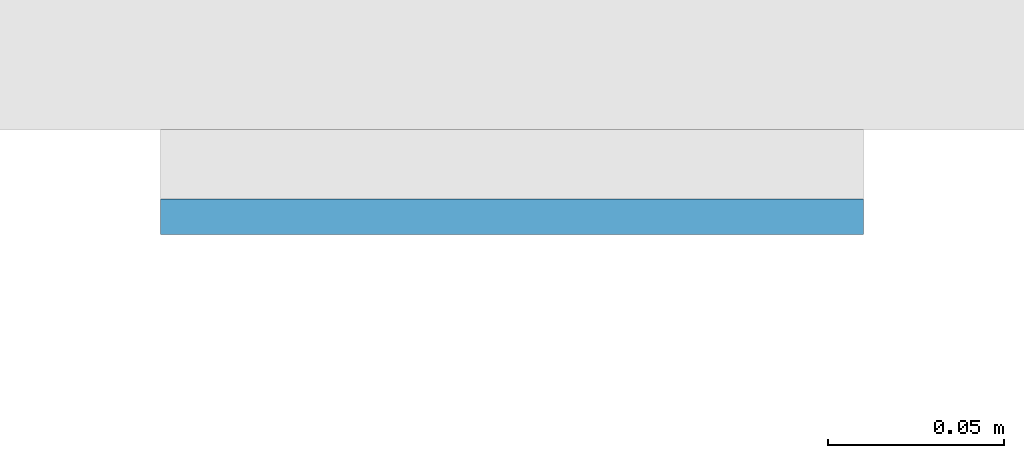
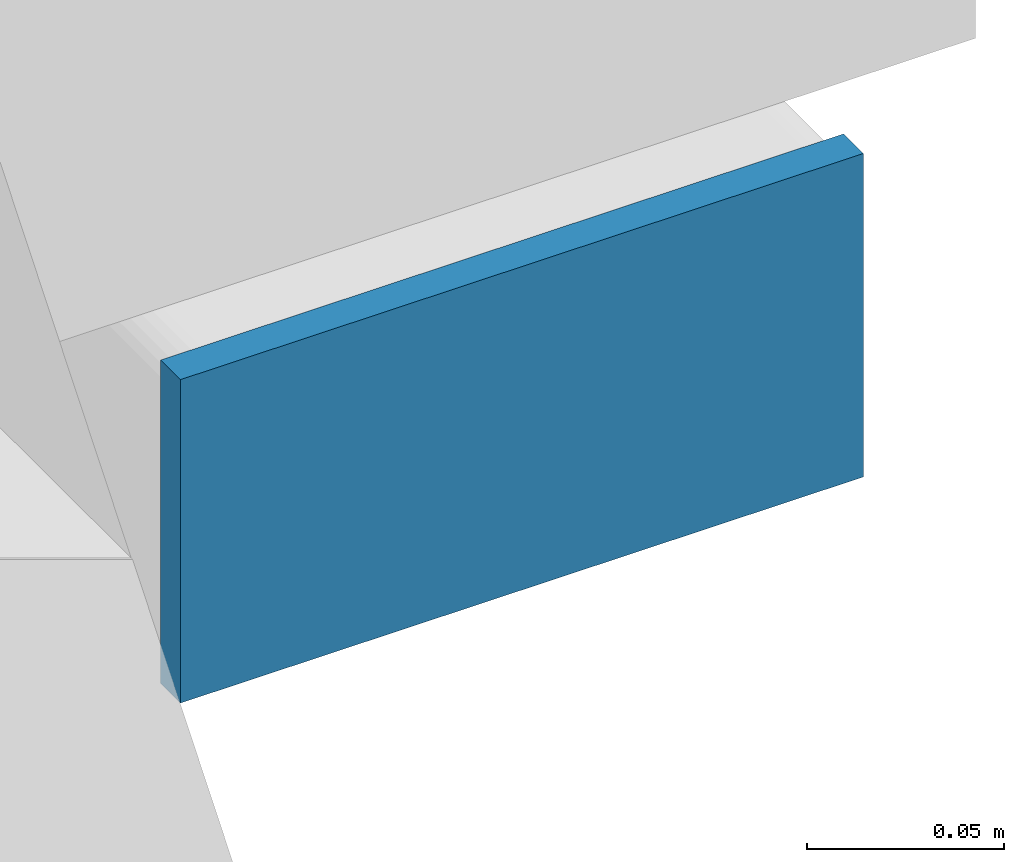
# One storey, part 10 of 20: 1 plate.
"""IFC4 building model written with IfcOpenShell, lengths in metres."""

from ifc_helpers import new_model, si_unit, direction, frame, origin, origin_2d, place, context, subcontext, project, spatial, rectangle, extrude, material, layer, layer_set, type_object, element, save


model = new_model("IFC4")

# Units and contexts
model_context = context("Model", 3, precision=1e-05, world=origin(), true_north=direction((0.0, 1.0)))
body_context = subcontext(model_context, "Body", "Model", "MODEL_VIEW")
ifc_project = project(units=[si_unit("LENGTHUNIT", "METRE"), si_unit("AREAUNIT", "SQUARE_METRE"), si_unit("VOLUMEUNIT", "CUBIC_METRE"), si_unit("PLANEANGLEUNIT", "RADIAN"), si_unit("MASSUNIT", "GRAM", prefix="KILO")], contexts=[model_context])

# Site, building, storey
site_placement = place(None, origin())
site = spatial("IfcSite", under=ifc_project, at=site_placement, CompositionType="ELEMENT")
building_placement = place(site_placement, origin())
building = spatial("IfcBuilding", under=site, at=building_placement, Name="Cleftline Residences", CompositionType="ELEMENT")
storey_placement = place(building_placement, frame((0.0, 0.0, 36.800048828125)))
storey = spatial("IfcBuildingStorey", under=building, at=storey_placement, Name="L08", CompositionType="ELEMENT", Elevation=36.800048828125)

# Plate
ifc_material = material(Name="Steel S355, hot-dip galvanised", Category="steel")
ifc_layer = layer(ifc_material, 0.010009765625)
ifc_layer_set = layer_set([ifc_layer], Name="BAGUETTE CARRIER END PLATE 200X100X10")
plate_type = type_object("IfcPlateType", Name="BAGUETTE CARRIER END PLATE 200X100X10", PredefinedType="USERDEFINED", material=ifc_layer_set)
plate_placement = place(storey_placement, frame((66.85009765625, 3.695068359375, -0.10009765625), z_axis=(0.0, 0.0, 1.0), x_axis=(1.0, 0.0, 0.0)))
element("IfcPlate", 1, at=plate_placement, inside=storey, type_object=plate_type, Name="Baguette carrier end plate", ObjectType="BAGUETTE CARRIER END PLATE", PredefinedType="USERDEFINED", context=body_context, shape_type="SweptSolid", body=[
    extrude(rectangle(XDim=0.199951171875, YDim=0.010009765625, at=origin_2d()), origin(), (0.0, 0.0, 1.0), 0.10009765625),
])

save(model, "model.ifc")
